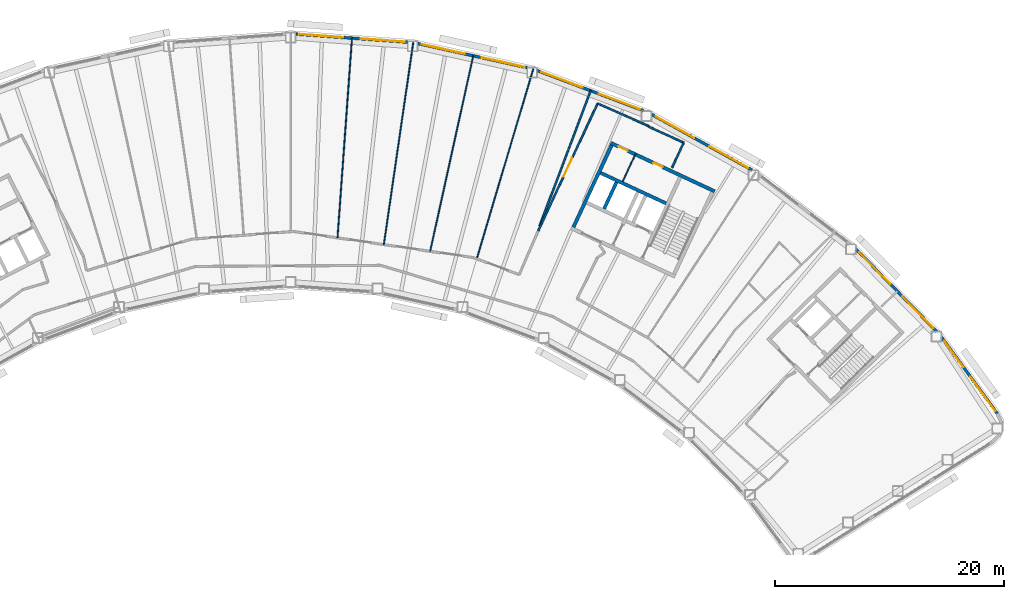
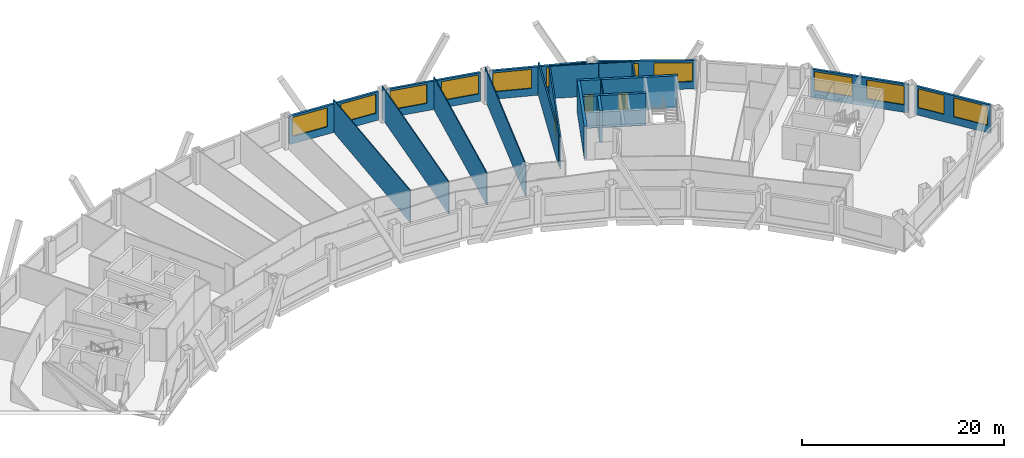
# One storey, part 10 of 13: 20 walls, 12 windows, 3 doors, 15 openings.
"""IFC4 building model written with IfcOpenShell, lengths in metres."""

from ifc_helpers import new_model, si_unit, direction, frame, frame_2d, origin, place, context, subcontext, project, spatial, rectangle, extrude, material, layer, layer_set, type_object, element, fill, save


model = new_model("IFC4")

# Units and contexts
model_context = context("Model", 3, precision=1e-05, world=origin(), true_north=direction((0.0, 1.0)))
body_context = subcontext(model_context, "Body", "Model", "MODEL_VIEW")
ifc_project = project(units=[si_unit("LENGTHUNIT", "METRE"), si_unit("AREAUNIT", "SQUARE_METRE"), si_unit("VOLUMEUNIT", "CUBIC_METRE"), si_unit("PLANEANGLEUNIT", "RADIAN"), si_unit("MASSUNIT", "GRAM", prefix="KILO")], contexts=[model_context])

# Site, building, storey
site_placement = place(None, origin())
site = spatial("IfcSite", under=ifc_project, at=site_placement, CompositionType="ELEMENT")
building_placement = place(site_placement, origin())
building = spatial("IfcBuilding", under=site, at=building_placement, Name="Tuul Gate Civic Tower", CompositionType="ELEMENT")
storey_placement = place(building_placement, frame((0.0, 0.0, 188.89990234375)))
storey = spatial("IfcBuildingStorey", under=building, at=storey_placement, Name="Level 43", CompositionType="ELEMENT", Elevation=188.89990234375)

# Wall
ifc_material_1 = material(Name="Concrete C50/60", Category="concrete")
ifc_layer_1 = layer(ifc_material_1, 0.300048828125)
ifc_layer_set_1 = layer_set([ifc_layer_1], Name="Concrete C50/60")
wall_type_1 = type_object("IfcWallType", Name="Core wall C50/60", PredefinedType="SHEAR", material=ifc_layer_set_1)
wall_1_placement = place(storey_placement, frame((33.75, -0.873779296875, 0.0), z_axis=(0.0, 0.0, 1.0), x_axis=(-0.906300917592, 0.422632992999, 0.0)))
element("IfcWall", 1, at=wall_1_placement, inside=storey, type_object=wall_type_1, Name="Core wall", PredefinedType="SHEAR", context=body_context, shape_type="SweptSolid", body=[
    extrude(rectangle(XDim=6.300048828125, YDim=0.300048828125, at=frame_2d((3.14990234375, 0.0))), origin(), (0.0, 0.0, 1.0), 3.900146484375),
])

# Wall, openings, doors
wall_2_placement = place(storey_placement, frame((37.993408203125, 0.181884765625, 0.0), z_axis=(0.0, 0.0, 1.0), x_axis=(-0.906310338845, 0.422612789327, 0.0)))
wall_2 = element("IfcWall", 2, at=wall_2_placement, inside=storey, type_object=wall_type_1, Name="Core wall", PredefinedType="SHEAR", context=body_context, shape_type="SweptSolid", body=[
    extrude(rectangle(XDim=9.999755859375, YDim=0.300048828125, at=frame_2d((5.0, 0.0))), origin(), (0.0, 0.0, 1.0), 3.900146484375),
])
opening_1_placement = place(wall_2_placement, frame((4.99365234375, 0.0, 0.0)))
opening_1 = element("IfcOpeningElement", 3, at=opening_1_placement, cuts=wall_2, Name="Opening O-D29", PredefinedType="OPENING", context=body_context, shape_type="SweptSolid", body=[
    extrude(rectangle(XDim=0.89990234375, YDim=2.10009765625, at=frame_2d((0.449951171875, 1.050048828125))), frame((0.0, 0.16015625, 0.0), z_axis=(0.0, -1.0, 0.0), x_axis=(1.0, 0.0, 0.0)), (0.0, 0.0, 1.0), 0.320068359375),
])
opening_2_placement = place(wall_2_placement, frame((8.368896484375, 0.0, 0.0)))
opening_2 = element("IfcOpeningElement", 4, at=opening_2_placement, cuts=wall_2, Name="Opening O-D30", PredefinedType="OPENING", context=body_context, shape_type="SweptSolid", body=[
    extrude(rectangle(XDim=0.89990234375, YDim=2.10009765625, at=frame_2d((0.449951171875, 1.050048828125))), frame((0.0, 0.16015625, 0.0), z_axis=(0.0, -1.0, 0.0), x_axis=(1.0, 0.0, 0.0)), (0.0, 0.0, 1.0), 0.320068359375),
])
ifc_material_2 = material(Name="Timber door leaf", Category="wood")
door_type_1 = type_object("IfcDoorType", Name="Door D09", OperationType="NOTDEFINED", PredefinedType="DOOR", material=ifc_material_2)
door_1_placement = place(opening_1_placement, origin())
door_1 = element("IfcDoor", 5, at=door_1_placement, inside=storey, type_object=door_type_1, Name="Door O-D29", OperationType="SINGLE_SWING_LEFT", OverallHeight=2.10009765625, OverallWidth=0.89990234375, PredefinedType="DOOR", context=body_context, shape_type="SweptSolid", body=[
    extrude(rectangle(XDim=0.89990234375, YDim=2.10009765625, at=frame_2d((0.449951171875, 1.050048828125))), frame((0.0, 0.02490234375, 0.0), z_axis=(0.0, -1.0, 0.0), x_axis=(1.0, 0.0, 0.0)), (0.0, 0.0, 1.0), 0.050048828125),
])
fill(opening_1, door_1)
door_2_placement = place(opening_2_placement, origin())
door_2 = element("IfcDoor", 6, at=door_2_placement, inside=storey, type_object=door_type_1, Name="Door O-D30", OperationType="SINGLE_SWING_RIGHT", OverallHeight=2.10009765625, OverallWidth=0.89990234375, PredefinedType="DOOR", context=body_context, shape_type="SweptSolid", body=[
    extrude(rectangle(XDim=0.89990234375, YDim=2.10009765625, at=frame_2d((0.449951171875, 1.050048828125))), frame((0.0, 0.02490234375, 0.0), z_axis=(0.0, -1.0, 0.0), x_axis=(1.0, 0.0, 0.0)), (0.0, 0.0, 1.0), 0.050048828125),
])
fill(opening_2, door_2)

# Walls
wall_3_placement = place(storey_placement, frame((28.349365234375, -1.33447265625, 0.0), z_axis=(0.0, 0.0, 1.0), x_axis=(0.422612891016, 0.906310291427, 0.0)))
element("IfcWall", 7, at=wall_3_placement, inside=storey, type_object=wall_type_1, Name="Core wall", PredefinedType="SHEAR", context=body_context, shape_type="SweptSolid", body=[
    extrude(rectangle(XDim=2.550048828125, YDim=0.300048828125, at=frame_2d((1.27490234375, 0.0))), origin(), (0.0, 0.0, 1.0), 3.900146484375),
])
wall_4_placement = place(storey_placement, frame((25.66455078125, -2.951416015625, 0.0), z_axis=(0.0, 0.0, 1.0), x_axis=(0.422582604137, 0.906324413596, 0.0)))
element("IfcWall", 8, at=wall_4_placement, inside=storey, type_object=wall_type_1, Name="Core wall", PredefinedType="SHEAR", context=body_context, shape_type="SweptSolid", body=[
    extrude(rectangle(XDim=7.89990234375, YDim=0.300048828125, at=frame_2d((3.949951171875, 0.0))), origin(), (0.0, 0.0, 1.0), 3.900146484375),
])
ifc_material_3 = material(Name="Gypsum board partition")
ifc_layer_2 = layer(ifc_material_3, 0.14990234375)
ifc_layer_set_2 = layer_set([ifc_layer_2], Name="Gypsum board partition")
wall_type_2 = type_object("IfcWallType", Name="Corridor wall P150", PredefinedType="PARTITIONING", material=ifc_layer_set_2)
wall_5_placement = place(storey_placement, frame((34.2744140625, 2.247802734375, 0.0), z_axis=(0.0, 0.0, 1.0), x_axis=(0.422602496555, 0.906315138296, 0.0)))
element("IfcWall", 9, at=wall_5_placement, inside=storey, type_object=wall_type_2, Name="p020", PredefinedType="PARTITIONING", context=body_context, shape_type="SweptSolid", body=[
    extrude(rectangle(XDim=2.408935546875, YDim=0.14990234375, at=frame_2d((1.20458984375, 0.0))), origin(), (0.0, 0.0, 1.0), 3.900146484375),
])
wall_6_placement = place(storey_placement, frame((27.78076171875, 7.85693359375, 0.0), z_axis=(0.0, 0.0, 1.0), x_axis=(0.913468780011, -0.406908820187, 0.0)))
element("IfcWall", 10, at=wall_6_placement, inside=storey, type_object=wall_type_2, Name="p021", PredefinedType="PARTITIONING", context=body_context, shape_type="SweptSolid", body=[
    extrude(rectangle(XDim=4.88037109375, YDim=0.14990234375, at=frame_2d((2.440185546875, 0.0))), origin(), (0.0, 0.0, 1.0), 3.900146484375),
])
wall_7_placement = place(storey_placement, frame((32.239501953125, 5.82373046875, 0.0), z_axis=(0.0, 0.0, 1.0), x_axis=(0.909874950062, -0.414882604179, 0.0)))
element("IfcWall", 11, at=wall_7_placement, inside=storey, type_object=wall_type_2, Name="p022", PredefinedType="PARTITIONING", context=body_context, shape_type="SweptSolid", body=[
    extrude(rectangle(XDim=3.35546875, YDim=0.14990234375, at=frame_2d((1.677734375, 0.0))), origin(), (0.0, 0.0, 1.0), 3.900146484375),
])

# Wall, opening, door
wall_8_placement = place(storey_placement, frame((22.580078125, -3.29638671875, 0.0), z_axis=(0.0, 0.0, 1.0), x_axis=(0.422580246916, 0.90632551267, 0.0)))
wall_8 = element("IfcWall", 12, at=wall_8_placement, inside=storey, type_object=wall_type_2, Name="p024", PredefinedType="PARTITIONING", context=body_context, shape_type="SweptSolid", body=[
    extrude(rectangle(XDim=12.305908203125, YDim=0.14990234375, at=frame_2d((6.15283203125, 0.0))), origin(), (0.0, 0.0, 1.0), 3.900146484375),
])
opening_3_placement = place(wall_8_placement, frame((5.246337890625, 0.0, 0.0)))
opening_3 = element("IfcOpeningElement", 13, at=opening_3_placement, cuts=wall_8, Name="Opening O-D04", PredefinedType="OPENING", context=body_context, shape_type="SweptSolid", body=[
    extrude(rectangle(XDim=1.800048828125, YDim=2.10009765625, at=frame_2d((0.89990234375, 1.050048828125))), frame((0.0, 0.0849609375, 0.0), z_axis=(0.0, -1.0, 0.0), x_axis=(1.0, 0.0, 0.0)), (0.0, 0.0, 1.0), 0.169921875),
])
ifc_material_4 = material(Name="Timber door leaf, double", Category="wood")
door_type_2 = type_object("IfcDoorType", Name="Door D18", OperationType="DOUBLE_DOOR_SINGLE_SWING", PredefinedType="DOOR", material=ifc_material_4)
door_3_placement = place(opening_3_placement, frame((1.800048828125, 0.0, 0.0), z_axis=(0.0, 0.0, 1.0), x_axis=(-1.0, 0.0, 0.0)))
door_3 = element("IfcDoor", 14, at=door_3_placement, inside=storey, type_object=door_type_2, Name="Door O-D04", OperationType="DOUBLE_DOOR_SINGLE_SWING", OverallHeight=2.10009765625, OverallWidth=1.800048828125, PredefinedType="DOOR", context=body_context, shape_type="SweptSolid", body=[
    extrude(rectangle(XDim=1.800048828125, YDim=2.10009765625, at=frame_2d((0.900146484375, 1.050048828125))), frame((0.0, 0.02490234375, 0.0), z_axis=(0.0, -1.0, 0.0), x_axis=(1.0, 0.0, 0.0)), (0.0, 0.0, 1.0), 0.050048828125),
])
fill(opening_3, door_3)

# Wall
wall_9_placement = place(storey_placement, frame((22.704833984375, -2.859375, 0.0), z_axis=(0.0, 0.0, 1.0), x_axis=(0.35371861076, 0.935351882663, 0.0)))
element("IfcWall", 15, at=wall_9_placement, inside=storey, type_object=wall_type_2, Name="p026", PredefinedType="PARTITIONING", context=body_context, shape_type="SweptSolid", body=[
    extrude(rectangle(XDim=12.643310546875, YDim=0.14990234375, at=frame_2d((6.32177734375, 0.0))), origin(), (0.0, 0.0, 1.0), 3.900146484375),
])

# Wall, openings, windows
ifc_material_5 = material(Name="Precast concrete C40/50", Category="concrete")
ifc_layer_3 = layer(ifc_material_5, 0.25)
ifc_layer_set_3 = layer_set([ifc_layer_3], Name="Precast concrete C40/50")
wall_type_3 = type_object("IfcWallType", Name="External wall", PredefinedType="STANDARD", material=ifc_layer_set_3)
wall_10_placement = place(storey_placement, frame((62.678955078125, -19.229736328125, 0.0), z_axis=(0.0, 0.0, 1.0), x_axis=(-0.589755466838, 0.80758187779, 0.0)))
wall_10 = element("IfcWall", 16, at=wall_10_placement, inside=storey, type_object=wall_type_3, Name="External wall", PredefinedType="STANDARD", context=body_context, shape_type="SweptSolid", body=[
    extrude(rectangle(XDim=8.25244140625, YDim=0.25, at=frame_2d((4.126220703125, 0.0))), origin(), (0.0, 0.0, 1.0), 3.4501953125),
])
opening_4_placement = place(wall_10_placement, frame((0.30078125, 0.0, 0.89990234375)))
opening_4 = element("IfcOpeningElement", 17, at=opening_4_placement, cuts=wall_10, Name="Opening W21", PredefinedType="OPENING", context=body_context, shape_type="SweptSolid", body=[
    extrude(rectangle(XDim=3.699951171875, YDim=2.300048828125, at=frame_2d((1.85009765625, 1.14990234375))), frame((0.0, 0.135009765625, 0.0), z_axis=(0.0, -1.0, 0.0), x_axis=(1.0, 0.0, 0.0)), (0.0, 0.0, 1.0), 0.27001953125),
])
opening_5_placement = place(wall_10_placement, frame((5.052734375, 0.0, 0.89990234375)))
opening_5 = element("IfcOpeningElement", 18, at=opening_5_placement, cuts=wall_10, Name="Opening W23", PredefinedType="OPENING", context=body_context, shape_type="SweptSolid", body=[
    extrude(rectangle(XDim=2.800048828125, YDim=2.300048828125, at=frame_2d((1.39990234375, 1.14990234375))), frame((0.0, 0.135009765625, 0.0), z_axis=(0.0, -1.0, 0.0), x_axis=(1.0, 0.0, 0.0)), (0.0, 0.0, 1.0), 0.27001953125),
])
ifc_material_6 = material(Name="Glass", Category="glass")
window_type_1 = type_object("IfcWindowType", Name="Window W21 3700 x 2300", PartitioningType="SINGLE_PANEL", PredefinedType="WINDOW", material=ifc_material_6)
window_1_placement = place(opening_4_placement, origin())
window_1 = element("IfcWindow", 19, at=window_1_placement, inside=storey, type_object=window_type_1, Name="Window", OverallHeight=2.300048828125, OverallWidth=3.699951171875, PartitioningType="SINGLE_PANEL", PredefinedType="WINDOW", context=body_context, shape_type="SweptSolid", body=[
    extrude(rectangle(XDim=3.699951171875, YDim=2.300048828125, at=frame_2d((1.85009765625, 1.14990234375))), frame((0.0, 0.030029296875, 0.0), z_axis=(0.0, -1.0, 0.0), x_axis=(1.0, 0.0, 0.0)), (0.0, 0.0, 1.0), 0.06005859375),
])
fill(opening_4, window_1)
ifc_material_7 = material(Name="Glass", Category="glass")
window_type_2 = type_object("IfcWindowType", Name="Window W23 2800 x 2300", PartitioningType="SINGLE_PANEL", PredefinedType="WINDOW", material=ifc_material_7)
window_2_placement = place(opening_5_placement, origin())
window_2 = element("IfcWindow", 20, at=window_2_placement, inside=storey, type_object=window_type_2, Name="Window", OverallHeight=2.300048828125, OverallWidth=2.800048828125, PartitioningType="SINGLE_PANEL", PredefinedType="WINDOW", context=body_context, shape_type="SweptSolid", body=[
    extrude(rectangle(XDim=2.800048828125, YDim=2.300048828125, at=frame_2d((1.39990234375, 1.14990234375))), frame((0.0, 0.030029296875, 0.0), z_axis=(0.0, -1.0, 0.0), x_axis=(1.0, 0.0, 0.0)), (0.0, 0.0, 1.0), 0.06005859375),
])
fill(opening_5, window_2)

wall_11_placement = place(storey_placement, frame((57.3759765625, -12.050048828125, 0.0), z_axis=(0.0, 0.0, 1.0), x_axis=(-0.700042765506, 0.714100921763, 0.0)))
wall_11 = element("IfcWall", 21, at=wall_11_placement, inside=storey, type_object=wall_type_3, Name="External wall", PredefinedType="STANDARD", context=body_context, shape_type="SweptSolid", body=[
    extrude(rectangle(XDim=10.05517578125, YDim=0.25, at=frame_2d((5.027587890625, 0.0))), origin(), (0.0, 0.0, 1.0), 3.4501953125),
])
opening_6_placement = place(wall_11_placement, frame((0.416748046875, 0.0, 0.89990234375)))
opening_6 = element("IfcOpeningElement", 22, at=opening_6_placement, cuts=wall_11, Name="Opening W22", PredefinedType="OPENING", context=body_context, shape_type="SweptSolid", body=[
    extrude(rectangle(XDim=3.85009765625, YDim=2.300048828125, at=frame_2d((1.925048828125, 1.14990234375))), frame((0.0, 0.135009765625, 0.0), z_axis=(0.0, -1.0, 0.0), x_axis=(1.0, 0.0, 0.0)), (0.0, 0.0, 1.0), 0.27001953125),
])
opening_7_placement = place(wall_11_placement, frame((5.787841796875, 0.0, 0.89990234375)))
opening_7 = element("IfcOpeningElement", 23, at=opening_7_placement, cuts=wall_11, Name="Opening W22", PredefinedType="OPENING", context=body_context, shape_type="SweptSolid", body=[
    extrude(rectangle(XDim=3.85009765625, YDim=2.300048828125, at=frame_2d((1.925048828125, 1.14990234375))), frame((0.0, 0.135009765625, 0.0), z_axis=(0.0, -1.0, 0.0), x_axis=(1.0, 0.0, 0.0)), (0.0, 0.0, 1.0), 0.27001953125),
])
ifc_material_8 = material(Name="Glass", Category="glass")
window_type_3 = type_object("IfcWindowType", Name="Window W22 3850 x 2300", PartitioningType="SINGLE_PANEL", PredefinedType="WINDOW", material=ifc_material_8)
window_3_placement = place(opening_6_placement, origin())
window_3 = element("IfcWindow", 24, at=window_3_placement, inside=storey, type_object=window_type_3, Name="Window", OverallHeight=2.300048828125, OverallWidth=3.85009765625, PartitioningType="SINGLE_PANEL", PredefinedType="WINDOW", context=body_context, shape_type="SweptSolid", body=[
    extrude(rectangle(XDim=3.85009765625, YDim=2.300048828125, at=frame_2d((1.925048828125, 1.14990234375))), frame((0.0, 0.030029296875, 0.0), z_axis=(0.0, -1.0, 0.0), x_axis=(1.0, 0.0, 0.0)), (0.0, 0.0, 1.0), 0.06005859375),
])
fill(opening_6, window_3)
window_4_placement = place(opening_7_placement, origin())
window_4 = element("IfcWindow", 25, at=window_4_placement, inside=storey, type_object=window_type_3, Name="Window", OverallHeight=2.300048828125, OverallWidth=3.85009765625, PartitioningType="SINGLE_PANEL", PredefinedType="WINDOW", context=body_context, shape_type="SweptSolid", body=[
    extrude(rectangle(XDim=3.85009765625, YDim=2.300048828125, at=frame_2d((1.925048828125, 1.14990234375))), frame((0.0, 0.030029296875, 0.0), z_axis=(0.0, -1.0, 0.0), x_axis=(1.0, 0.0, 0.0)), (0.0, 0.0, 1.0), 0.06005859375),
])
fill(opening_7, window_4)

wall_12_placement = place(storey_placement, frame((41.251220703125, 2.04296875, 0.0), z_axis=(0.0, 0.0, 1.0), x_axis=(-0.874633566806, 0.484784615903, 0.0)))
wall_12 = element("IfcWall", 26, at=wall_12_placement, inside=storey, type_object=wall_type_3, Name="External wall", PredefinedType="STANDARD", context=body_context, shape_type="SweptSolid", body=[
    extrude(rectangle(XDim=10.001220703125, YDim=0.25, at=frame_2d((5.00048828125, 0.0))), origin(), (0.0, 0.0, 1.0), 3.4501953125),
])
opening_8_placement = place(wall_12_placement, frame((0.38671875, 0.0, 0.89990234375)))
opening_8 = element("IfcOpeningElement", 27, at=opening_8_placement, cuts=wall_12, Name="Opening W22", PredefinedType="OPENING", context=body_context, shape_type="SweptSolid", body=[
    extrude(rectangle(XDim=3.85009765625, YDim=2.300048828125, at=frame_2d((1.925048828125, 1.14990234375))), frame((0.0, 0.135009765625, 0.0), z_axis=(0.0, -1.0, 0.0), x_axis=(1.0, 0.0, 0.0)), (0.0, 0.0, 1.0), 0.27001953125),
])
opening_9_placement = place(wall_12_placement, frame((5.758056640625, 0.0, 0.89990234375)))
opening_9 = element("IfcOpeningElement", 28, at=opening_9_placement, cuts=wall_12, Name="Opening W22", PredefinedType="OPENING", context=body_context, shape_type="SweptSolid", body=[
    extrude(rectangle(XDim=3.85009765625, YDim=2.300048828125, at=frame_2d((1.925048828125, 1.14990234375))), frame((0.0, 0.135009765625, 0.0), z_axis=(0.0, -1.0, 0.0), x_axis=(1.0, 0.0, 0.0)), (0.0, 0.0, 1.0), 0.27001953125),
])
window_5_placement = place(opening_8_placement, origin())
window_5 = element("IfcWindow", 29, at=window_5_placement, inside=storey, type_object=window_type_3, Name="Window", OverallHeight=2.300048828125, OverallWidth=3.85009765625, PartitioningType="SINGLE_PANEL", PredefinedType="WINDOW", context=body_context, shape_type="SweptSolid", body=[
    extrude(rectangle(XDim=3.85009765625, YDim=2.300048828125, at=frame_2d((1.925048828125, 1.14990234375))), frame((0.0, 0.030029296875, 0.0), z_axis=(0.0, -1.0, 0.0), x_axis=(1.0, 0.0, 0.0)), (0.0, 0.0, 1.0), 0.06005859375),
])
fill(opening_8, window_5)
window_6_placement = place(opening_9_placement, origin())
window_6 = element("IfcWindow", 30, at=window_6_placement, inside=storey, type_object=window_type_3, Name="Window", OverallHeight=2.300048828125, OverallWidth=3.85009765625, PartitioningType="SINGLE_PANEL", PredefinedType="WINDOW", context=body_context, shape_type="SweptSolid", body=[
    extrude(rectangle(XDim=3.85009765625, YDim=2.300048828125, at=frame_2d((1.925048828125, 1.14990234375))), frame((0.0, 0.030029296875, 0.0), z_axis=(0.0, -1.0, 0.0), x_axis=(1.0, 0.0, 0.0)), (0.0, 0.0, 1.0), 0.06005859375),
])
fill(opening_9, window_6)

wall_13_placement = place(storey_placement, frame((31.78125, 7.219970703125, 0.0), z_axis=(0.0, 0.0, 1.0), x_axis=(-0.935342915264, 0.353742322694, 0.0)))
wall_13 = element("IfcWall", 31, at=wall_13_placement, inside=storey, type_object=wall_type_3, Name="External wall", PredefinedType="STANDARD", context=body_context, shape_type="SweptSolid", body=[
    extrude(rectangle(XDim=9.904541015625, YDim=0.25, at=frame_2d((4.9521484375, 0.0))), origin(), (0.0, 0.0, 1.0), 3.4501953125),
])
opening_10_placement = place(wall_13_placement, frame((0.314208984375, 0.0, 0.89990234375)))
opening_10 = element("IfcOpeningElement", 32, at=opening_10_placement, cuts=wall_13, Name="Opening W22", PredefinedType="OPENING", context=body_context, shape_type="SweptSolid", body=[
    extrude(rectangle(XDim=3.85009765625, YDim=2.300048828125, at=frame_2d((1.925048828125, 1.14990234375))), frame((0.0, 0.135009765625, 0.0), z_axis=(0.0, -1.0, 0.0), x_axis=(1.0, 0.0, 0.0)), (0.0, 0.0, 1.0), 0.27001953125),
])
opening_11_placement = place(wall_13_placement, frame((5.685546875, 0.0, 0.89990234375)))
opening_11 = element("IfcOpeningElement", 33, at=opening_11_placement, cuts=wall_13, Name="Opening W22", PredefinedType="OPENING", context=body_context, shape_type="SweptSolid", body=[
    extrude(rectangle(XDim=3.85009765625, YDim=2.300048828125, at=frame_2d((1.925048828125, 1.14990234375))), frame((0.0, 0.135009765625, 0.0), z_axis=(0.0, -1.0, 0.0), x_axis=(1.0, 0.0, 0.0)), (0.0, 0.0, 1.0), 0.27001953125),
])
window_7_placement = place(opening_10_placement, origin())
window_7 = element("IfcWindow", 34, at=window_7_placement, inside=storey, type_object=window_type_3, Name="Window", OverallHeight=2.300048828125, OverallWidth=3.85009765625, PartitioningType="SINGLE_PANEL", PredefinedType="WINDOW", context=body_context, shape_type="SweptSolid", body=[
    extrude(rectangle(XDim=3.85009765625, YDim=2.300048828125, at=frame_2d((1.925048828125, 1.14990234375))), frame((0.0, 0.030029296875, 0.0), z_axis=(0.0, -1.0, 0.0), x_axis=(1.0, 0.0, 0.0)), (0.0, 0.0, 1.0), 0.06005859375),
])
fill(opening_10, window_7)
window_8_placement = place(opening_11_placement, origin())
window_8 = element("IfcWindow", 35, at=window_8_placement, inside=storey, type_object=window_type_3, Name="Window", OverallHeight=2.300048828125, OverallWidth=3.85009765625, PartitioningType="SINGLE_PANEL", PredefinedType="WINDOW", context=body_context, shape_type="SweptSolid", body=[
    extrude(rectangle(XDim=3.85009765625, YDim=2.300048828125, at=frame_2d((1.925048828125, 1.14990234375))), frame((0.0, 0.030029296875, 0.0), z_axis=(0.0, -1.0, 0.0), x_axis=(1.0, 0.0, 0.0)), (0.0, 0.0, 1.0), 0.06005859375),
])
fill(opening_11, window_8)

wall_14_placement = place(storey_placement, frame((21.616943359375, 10.978271484375, 0.0), z_axis=(0.0, 0.0, 1.0), x_axis=(-0.976564163257, 0.215226473842, 0.0)))
wall_14 = element("IfcWall", 36, at=wall_14_placement, inside=storey, type_object=wall_type_3, Name="External wall", PredefinedType="STANDARD", context=body_context, shape_type="SweptSolid", body=[
    extrude(rectangle(XDim=9.756591796875, YDim=0.25, at=frame_2d((4.87841796875, 0.0))), origin(), (0.0, 0.0, 1.0), 3.4501953125),
])
opening_12_placement = place(wall_14_placement, frame((0.1962890625, 0.0, 0.89990234375)))
opening_12 = element("IfcOpeningElement", 37, at=opening_12_placement, cuts=wall_14, Name="Opening W22", PredefinedType="OPENING", context=body_context, shape_type="SweptSolid", body=[
    extrude(rectangle(XDim=3.85009765625, YDim=2.300048828125, at=frame_2d((1.925048828125, 1.14990234375))), frame((0.0, 0.135009765625, 0.0), z_axis=(0.0, -1.0, 0.0), x_axis=(1.0, 0.0, 0.0)), (0.0, 0.0, 1.0), 0.27001953125),
])
opening_13_placement = place(wall_14_placement, frame((5.567626953125, 0.0, 0.89990234375)))
opening_13 = element("IfcOpeningElement", 38, at=opening_13_placement, cuts=wall_14, Name="Opening W22", PredefinedType="OPENING", context=body_context, shape_type="SweptSolid", body=[
    extrude(rectangle(XDim=3.85009765625, YDim=2.300048828125, at=frame_2d((1.925048828125, 1.14990234375))), frame((0.0, 0.135009765625, 0.0), z_axis=(0.0, -1.0, 0.0), x_axis=(1.0, 0.0, 0.0)), (0.0, 0.0, 1.0), 0.27001953125),
])
window_9_placement = place(opening_12_placement, origin())
window_9 = element("IfcWindow", 39, at=window_9_placement, inside=storey, type_object=window_type_3, Name="Window", OverallHeight=2.300048828125, OverallWidth=3.85009765625, PartitioningType="SINGLE_PANEL", PredefinedType="WINDOW", context=body_context, shape_type="SweptSolid", body=[
    extrude(rectangle(XDim=3.85009765625, YDim=2.300048828125, at=frame_2d((1.925048828125, 1.14990234375))), frame((0.0, 0.030029296875, 0.0), z_axis=(0.0, -1.0, 0.0), x_axis=(1.0, 0.0, 0.0)), (0.0, 0.0, 1.0), 0.06005859375),
])
fill(opening_12, window_9)
window_10_placement = place(opening_13_placement, origin())
window_10 = element("IfcWindow", 40, at=window_10_placement, inside=storey, type_object=window_type_3, Name="Window", OverallHeight=2.300048828125, OverallWidth=3.85009765625, PartitioningType="SINGLE_PANEL", PredefinedType="WINDOW", context=body_context, shape_type="SweptSolid", body=[
    extrude(rectangle(XDim=3.85009765625, YDim=2.300048828125, at=frame_2d((1.925048828125, 1.14990234375))), frame((0.0, 0.030029296875, 0.0), z_axis=(0.0, -1.0, 0.0), x_axis=(1.0, 0.0, 0.0)), (0.0, 0.0, 1.0), 0.06005859375),
])
fill(opening_13, window_10)

wall_15_placement = place(storey_placement, frame((11.18896484375, 13.202880859375, 0.0), z_axis=(0.0, 0.0, 1.0), x_axis=(-0.997385917902, 0.072258776432, 0.0)))
wall_15 = element("IfcWall", 41, at=wall_15_placement, inside=storey, type_object=wall_type_3, Name="External wall", PredefinedType="STANDARD", context=body_context, shape_type="SweptSolid", body=[
    extrude(rectangle(XDim=9.774658203125, YDim=0.25, at=frame_2d((4.88720703125, 0.0))), origin(), (0.0, 0.0, 1.0), 3.4501953125),
])
opening_14_placement = place(wall_15_placement, frame((0.253173828125, 0.0, 0.89990234375)))
opening_14 = element("IfcOpeningElement", 42, at=opening_14_placement, cuts=wall_15, Name="Opening W22", PredefinedType="OPENING", context=body_context, shape_type="SweptSolid", body=[
    extrude(rectangle(XDim=3.85009765625, YDim=2.300048828125, at=frame_2d((1.925048828125, 1.14990234375))), frame((0.0, 0.135009765625, 0.0), z_axis=(0.0, -1.0, 0.0), x_axis=(1.0, 0.0, 0.0)), (0.0, 0.0, 1.0), 0.27001953125),
])
opening_15_placement = place(wall_15_placement, frame((5.624267578125, 0.0, 0.89990234375)))
opening_15 = element("IfcOpeningElement", 43, at=opening_15_placement, cuts=wall_15, Name="Opening W22", PredefinedType="OPENING", context=body_context, shape_type="SweptSolid", body=[
    extrude(rectangle(XDim=3.85009765625, YDim=2.300048828125, at=frame_2d((1.925048828125, 1.14990234375))), frame((0.0, 0.135009765625, 0.0), z_axis=(0.0, -1.0, 0.0), x_axis=(1.0, 0.0, 0.0)), (0.0, 0.0, 1.0), 0.27001953125),
])
window_11_placement = place(opening_14_placement, origin())
window_11 = element("IfcWindow", 44, at=window_11_placement, inside=storey, type_object=window_type_3, Name="Window", OverallHeight=2.300048828125, OverallWidth=3.85009765625, PartitioningType="SINGLE_PANEL", PredefinedType="WINDOW", context=body_context, shape_type="SweptSolid", body=[
    extrude(rectangle(XDim=3.85009765625, YDim=2.300048828125, at=frame_2d((1.925048828125, 1.14990234375))), frame((0.0, 0.030029296875, 0.0), z_axis=(0.0, -1.0, 0.0), x_axis=(1.0, 0.0, 0.0)), (0.0, 0.0, 1.0), 0.06005859375),
])
fill(opening_14, window_11)
window_12_placement = place(opening_15_placement, origin())
window_12 = element("IfcWindow", 45, at=window_12_placement, inside=storey, type_object=window_type_3, Name="Window", OverallHeight=2.300048828125, OverallWidth=3.85009765625, PartitioningType="SINGLE_PANEL", PredefinedType="WINDOW", context=body_context, shape_type="SweptSolid", body=[
    extrude(rectangle(XDim=3.85009765625, YDim=2.300048828125, at=frame_2d((1.925048828125, 1.14990234375))), frame((0.0, 0.030029296875, 0.0), z_axis=(0.0, -1.0, 0.0), x_axis=(1.0, 0.0, 0.0)), (0.0, 0.0, 1.0), 0.06005859375),
])
fill(opening_15, window_12)

# Walls
ifc_material_9 = material(Name="Gypsum board partition")
ifc_layer_4 = layer(ifc_material_9, 0.10009765625)
ifc_layer_set_4 = layer_set([ifc_layer_4], Name="Gypsum board partition")
wall_type_4 = type_object("IfcWallType", Name="Partition P100", PredefinedType="PARTITIONING", material=ifc_layer_set_4)
wall_16_placement = place(storey_placement, frame((17.22802734375, -5.7138671875, 0.0), z_axis=(0.0, 0.0, 1.0), x_axis=(0.285206511667, 0.958466090012, 0.0)))
element("IfcWall", 46, at=wall_16_placement, inside=storey, type_object=wall_type_4, Name="p027", PredefinedType="PARTITIONING", context=body_context, shape_type="SweptSolid", body=[
    extrude(rectangle(XDim=17.295654296875, YDim=0.10009765625, at=frame_2d((8.64794921875, 0.0))), origin(), (0.0, 0.0, 1.0), 3.900146484375),
])
wall_17_placement = place(storey_placement, frame((13.16162109375, -5.0537109375, 0.0), z_axis=(0.0, 0.0, 1.0), x_axis=(0.215231034136, 0.976563158195, 0.0)))
element("IfcWall", 47, at=wall_17_placement, inside=storey, type_object=wall_type_4, Name="p029", PredefinedType="PARTITIONING", context=body_context, shape_type="SweptSolid", body=[
    extrude(rectangle(XDim=17.48095703125, YDim=0.10009765625, at=frame_2d((8.740478515625, 0.0))), origin(), (0.0, 0.0, 1.0), 3.900146484375),
])
wall_18_placement = place(storey_placement, frame((9.118408203125, -4.466552734375, 0.0), z_axis=(0.0, 0.0, 1.0), x_axis=(0.144105435144, 0.989562339402, 0.0)))
element("IfcWall", 48, at=wall_18_placement, inside=storey, type_object=wall_type_4, Name="p031", PredefinedType="PARTITIONING", context=body_context, shape_type="SweptSolid", body=[
    extrude(rectangle(XDim=17.824462890625, YDim=0.10009765625, at=frame_2d((8.912109375, 0.0))), origin(), (0.0, 0.0, 1.0), 3.900146484375),
])
wall_19_placement = place(storey_placement, frame((5.075439453125, -3.87939453125, 0.0), z_axis=(0.0, 0.0, 1.0), x_axis=(0.072232387983, 0.997387829345, 0.0)))
element("IfcWall", 49, at=wall_19_placement, inside=storey, type_object=wall_type_4, Name="p032", PredefinedType="PARTITIONING", context=body_context, shape_type="SweptSolid", body=[
    extrude(rectangle(XDim=17.484375, YDim=0.10009765625, at=frame_2d((8.7421875, 0.0))), origin(), (0.0, 0.0, 1.0), 3.900146484375),
])
wall_20_placement = place(storey_placement, frame((29.972900390625, 1.052978515625, 0.0), z_axis=(0.0, 0.0, 1.0), x_axis=(0.422556439746, 0.906336612539, 0.0)))
element("IfcWall", 50, at=wall_20_placement, inside=storey, type_object=wall_type_4, Name="bE3-BAND-0", PredefinedType="PARTITIONING", context=body_context, shape_type="SweptSolid", body=[
    extrude(rectangle(XDim=2.599853515625, YDim=0.10009765625, at=frame_2d((1.2998046875, 0.0))), origin(), (0.0, 0.0, 1.0), 3.900146484375),
])

save(model, "model.ifc")
